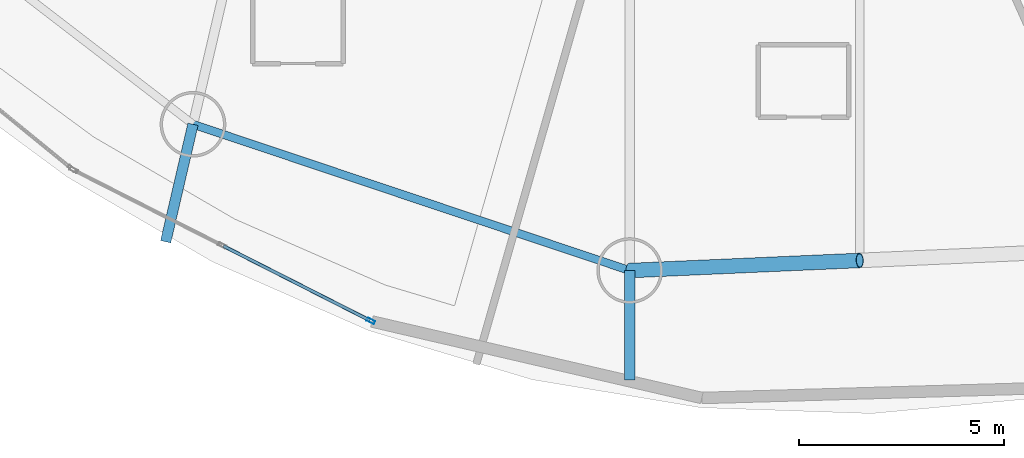
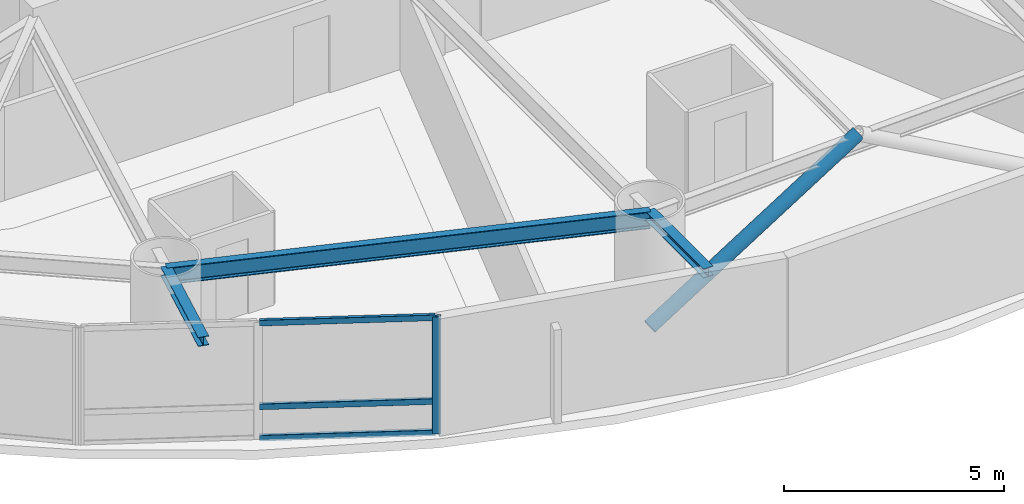
# One storey, part 4 of 20: 5 members, 3 beams, 1 element without a shape of its own.
"""IFC4 building model written with IfcOpenShell, lengths in metres."""

from ifc_helpers import new_model, si_unit, direction, frame, origin, origin_2d, place, context, subcontext, project, spatial, hollow_rectangle, hollow_circle, i_section, extrude, material, layer, layer_set, material_profile, profile_set, type_object, element, aggregate, save


model = new_model("IFC4")

# Units and contexts
model_context = context("Model", 3, precision=1e-05, world=origin(), true_north=direction((0.0, 1.0)))
body_context = subcontext(model_context, "Body", "Model", "MODEL_VIEW")
ifc_project = project(units=[si_unit("LENGTHUNIT", "METRE"), si_unit("AREAUNIT", "SQUARE_METRE"), si_unit("VOLUMEUNIT", "CUBIC_METRE"), si_unit("PLANEANGLEUNIT", "RADIAN"), si_unit("MASSUNIT", "GRAM", prefix="KILO")], contexts=[model_context])

# Site, building, storey
site_placement = place(None, origin())
site = spatial("IfcSite", under=ifc_project, at=site_placement, CompositionType="ELEMENT")
building_placement = place(site_placement, origin())
building = spatial("IfcBuilding", under=site, at=building_placement, Name="Bramvorn Convention Spire", CompositionType="ELEMENT")
storey_placement = place(building_placement, frame((0.0, 0.0, 58.89990234375)))
storey = spatial("IfcBuildingStorey", under=building, at=storey_placement, Name="L12", CompositionType="ELEMENT", Elevation=58.89990234375)

# Beams
ifc_material_1 = material(Name="Steel CSA G40.21 Grade 350 (350W)", Category="steel")
ifc_material_profile_1 = material_profile(ifc_material_1, i_section(OverallWidth=0.25390625, OverallDepth=0.2529296875, WebThickness=0.008544921875, FlangeThickness=0.01416015625, FilletRadius=0.011962890625, at=origin_2d()))
ifc_profile_set_1 = profile_set([ifc_material_profile_1], Name="Steel CSA G40.21 Grade 350 (350W) - W250X73")
beam_type_1 = type_object("IfcBeamType", Name="BM-W250X73", PredefinedType="BEAM", material=ifc_profile_set_1)
beam_1_placement = place(storey_placement, frame((24.40966796875, 8.490966796875, 3.12353515625), z_axis=(-0.226608933453, -0.973985827042, 0.0), x_axis=(0.973985827042, -0.226608933453, 0.0)))
element("IfcBeam", 1, at=beam_1_placement, inside=storey, type_object=beam_type_1, Name="L12 slab-edge cantilever tip beam MC12", PredefinedType="BEAM", context=body_context, shape_type="SweptSolid", body=[
    extrude(i_section(OverallWidth=0.25390625, OverallDepth=0.2529296875, WebThickness=0.008544921875, FlangeThickness=0.01416015625, FilletRadius=0.011962890625, at=origin_2d()), origin(), (0.0, 0.0, 1.0), 2.934814453125),
])
beam_2_placement = place(storey_placement, frame((35.0390625, 4.93115234375, 3.12353515625), z_axis=(0.0, -1.0, 0.0), x_axis=(1.0, 0.0, 0.0)))
element("IfcBeam", 2, at=beam_2_placement, inside=storey, type_object=beam_type_1, Name="L12 slab-edge cantilever tip beam MC13", PredefinedType="BEAM", context=body_context, shape_type="SweptSolid", body=[
    extrude(i_section(OverallWidth=0.25390625, OverallDepth=0.2529296875, WebThickness=0.008544921875, FlangeThickness=0.01416015625, FilletRadius=0.011962890625, at=origin_2d()), origin(), (0.0, 0.0, 1.0), 2.66064453125),
])
ifc_material_profile_2 = material_profile(ifc_material_1, i_section(OverallWidth=0.194091796875, OverallDepth=0.468994140625, WebThickness=0.0126953125, FlangeThickness=0.0205078125, FilletRadius=0.01806640625, at=origin_2d()))
ifc_profile_set_2 = profile_set([ifc_material_profile_2], Name="Steel CSA G40.21 Grade 350 (350W) - W460X106")
beam_type_2 = type_object("IfcBeamType", Name="BM-W460X106", PredefinedType="SPANDREL", material=ifc_profile_set_2)
beam_3_placement = place(storey_placement, frame((24.40966796875, 8.490966796875, 3.015625), z_axis=(0.948235872727, -0.317566890078, 0.0), x_axis=(0.317566890078, 0.948235872727, 0.0)))
element("IfcBeam", 3, at=beam_3_placement, inside=storey, type_object=beam_type_2, Name="L12 mega-column ring beam 12", PredefinedType="SPANDREL", context=body_context, shape_type="SweptSolid", body=[
    extrude(i_section(OverallWidth=0.194091796875, OverallDepth=0.468994140625, WebThickness=0.0126953125, FlangeThickness=0.0205078125, FilletRadius=0.01806640625, at=origin_2d()), origin(), (0.0, 0.0, 1.0), 11.209716796875),
])

# Curtain wall, members
ifc_material_2 = material(Name="Anodised Bronze Unitised Curtain Wall", Category="aluminium")
ifc_layer = layer(ifc_material_2, 0.179931640625)
ifc_layer_set = layer_set([ifc_layer], Name="Anodised Bronze Unitised Curtain Wall - CW-HTL-FRIT")
curtain_wall_type = type_object("IfcCurtainWallType", Name="CW-HTL-FRIT", PredefinedType="USERDEFINED", material=ifc_layer_set)
curtain_wall_placement = place(storey_placement, origin())
curtain_wall = element("IfcCurtainWall", 4, at=curtain_wall_placement, inside=storey, type_object=curtain_wall_type, Name="L12 fritted glass curtain wall 17", ObjectType="UNITISED CURTAIN WALL", PredefinedType="USERDEFINED")
ifc_material_3 = material(Name="Anodised Bronze Aluminium 6063-T6", Category="aluminium")
ifc_material_profile_3 = material_profile(ifc_material_3, hollow_rectangle(XDim=0.080078125, YDim=0.199951171875, WallThickness=0.00390625, InnerFilletRadius=0.0009765625, OuterFilletRadius=0.00390625, at=origin_2d()))
ifc_profile_set_3 = profile_set([ifc_material_profile_3], Name="Anodised Bronze Aluminium 6063-T6 - CWM80X200")
member_type_1 = type_object("IfcMemberType", Name="CW-MUL-180", PredefinedType="MULLION", material=ifc_profile_set_3)
member_1_placement = place(storey_placement, frame((28.738525390625, 3.705322265625, 0.0), z_axis=(0.0, 0.0, 1.0), x_axis=(-0.452834571588, -0.891594555151, 0.0)))
member_1 = element("IfcMember", 5, at=member_1_placement, type_object=member_type_1, Name="CW2 mullion 1", PredefinedType="MULLION", context=body_context, shape_type="SweptSolid", body=[
    extrude(hollow_rectangle(XDim=0.080078125, YDim=0.199951171875, WallThickness=0.00390625, InnerFilletRadius=0.0009765625, OuterFilletRadius=0.00390625, at=origin_2d()), origin(), (0.0, 0.0, 1.0), 3.25),
])
ifc_material_profile_4 = material_profile(ifc_material_3, hollow_rectangle(XDim=0.080078125, YDim=0.159912109375, WallThickness=0.00390625, InnerFilletRadius=0.0009765625, OuterFilletRadius=0.00390625, at=origin_2d()))
ifc_profile_set_4 = profile_set([ifc_material_profile_4], Name="Anodised Bronze Aluminium 6063-T6 - CWT80X160")
member_type_2 = type_object("IfcMemberType", Name="CW-TRN-150", PredefinedType="USERDEFINED", material=ifc_profile_set_4)
member_2_placement = place(storey_placement, frame((28.711669921875, 3.718994140625, 0.030029296875), z_axis=(-0.891586308784, 0.452850807649, 0.0), x_axis=(-0.452850807649, -0.891586308784, 0.0)))
member_2 = element("IfcMember", 6, at=member_2_placement, type_object=member_type_2, Name="CW2 transom 1.1", ObjectType="TRANSOM", PredefinedType="USERDEFINED", context=body_context, shape_type="SweptSolid", body=[
    extrude(hollow_rectangle(XDim=0.080078125, YDim=0.159912109375, WallThickness=0.00390625, InnerFilletRadius=0.0009765625, OuterFilletRadius=0.00390625, at=origin_2d()), origin(), (0.0, 0.0, 1.0), 3.995361328125),
])
member_3_placement = place(storey_placement, frame((28.711669921875, 3.718994140625, 0.900146484375), z_axis=(-0.891586308784, 0.452850807649, 0.0), x_axis=(-0.452850807649, -0.891586308784, 0.0)))
member_3 = element("IfcMember", 7, at=member_3_placement, type_object=member_type_2, Name="CW2 transom 1.2", ObjectType="TRANSOM", PredefinedType="USERDEFINED", context=body_context, shape_type="SweptSolid", body=[
    extrude(hollow_rectangle(XDim=0.080078125, YDim=0.159912109375, WallThickness=0.00390625, InnerFilletRadius=0.0009765625, OuterFilletRadius=0.00390625, at=origin_2d()), origin(), (0.0, 0.0, 1.0), 3.995361328125),
])
member_4_placement = place(storey_placement, frame((28.711669921875, 3.718994140625, 3.22021484375), z_axis=(-0.891586308784, 0.452850807649, 0.0), x_axis=(-0.452850807649, -0.891586308784, 0.0)))
member_4 = element("IfcMember", 8, at=member_4_placement, type_object=member_type_2, Name="CW2 transom 1.3", ObjectType="TRANSOM", PredefinedType="USERDEFINED", context=body_context, shape_type="SweptSolid", body=[
    extrude(hollow_rectangle(XDim=0.080078125, YDim=0.159912109375, WallThickness=0.00390625, InnerFilletRadius=0.0009765625, OuterFilletRadius=0.00390625, at=origin_2d()), origin(), (0.0, 0.0, 1.0), 3.995361328125),
])
aggregate(curtain_wall, [member_1, member_2, member_3, member_4])

# Member
ifc_material_profile_5 = material_profile(ifc_material_1, hollow_circle(Radius=0.177734375, WallThickness=0.015869140625, at=origin_2d()))
ifc_profile_set_5 = profile_set([ifc_material_profile_5], Name="Steel CSA G40.21 Grade 350 (350W) - CHS356X16")
member_type_3 = type_object("IfcMemberType", Name="MBR-CHS356X16", PredefinedType="BRACE", material=ifc_profile_set_5)
member_5_placement = place(storey_placement, frame((35.0390625, 4.93115234375, 0.0), z_axis=(0.864248258726, 0.037983965328, 0.501629510363), x_axis=(-0.043907907889, 0.999035582762, 0.0)))
element("IfcMember", 9, at=member_5_placement, inside=storey, type_object=member_type_3, Name="L12 perimeter Gothic lancet brace 13A", PredefinedType="BRACE", context=body_context, shape_type="SweptSolid", body=[
    extrude(hollow_circle(Radius=0.177734375, WallThickness=0.015869140625, at=origin_2d()), origin(), (0.0, 0.0, 1.0), 6.47900390625),
])

save(model, "model.ifc")
